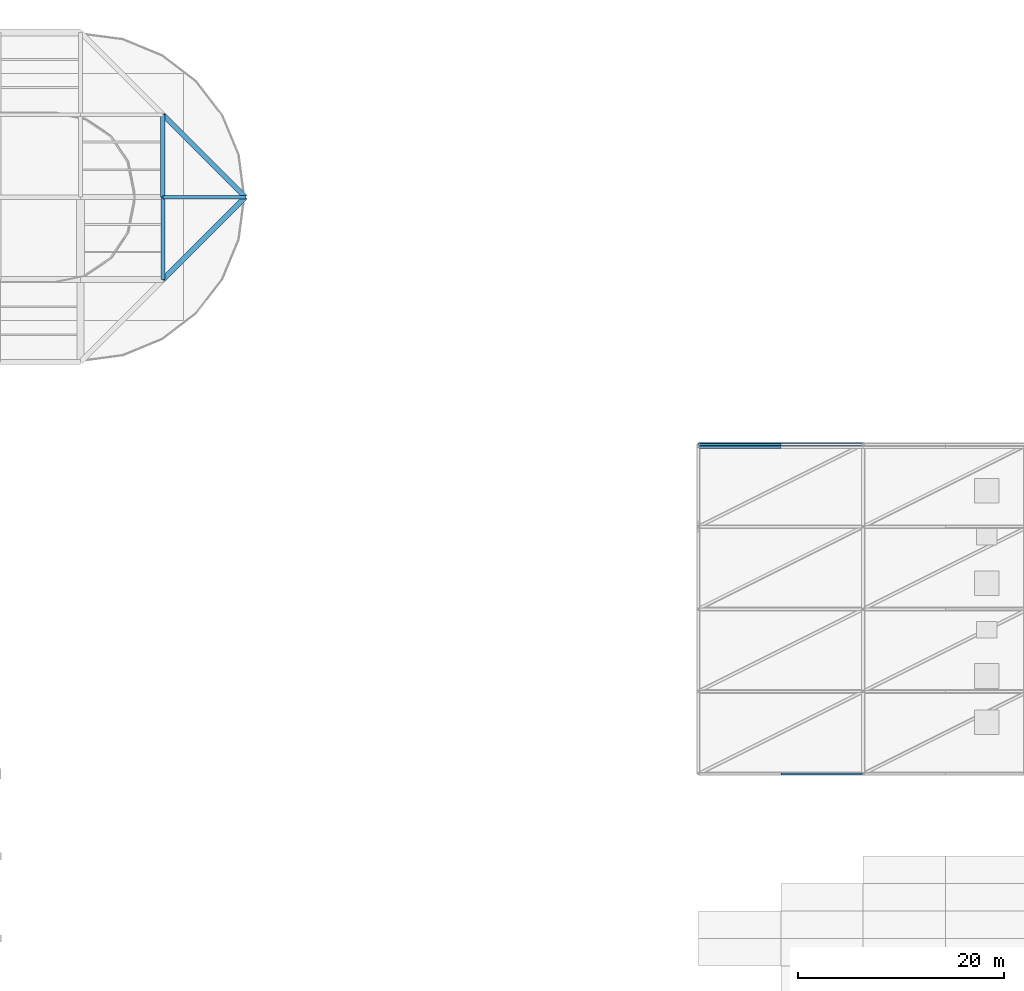
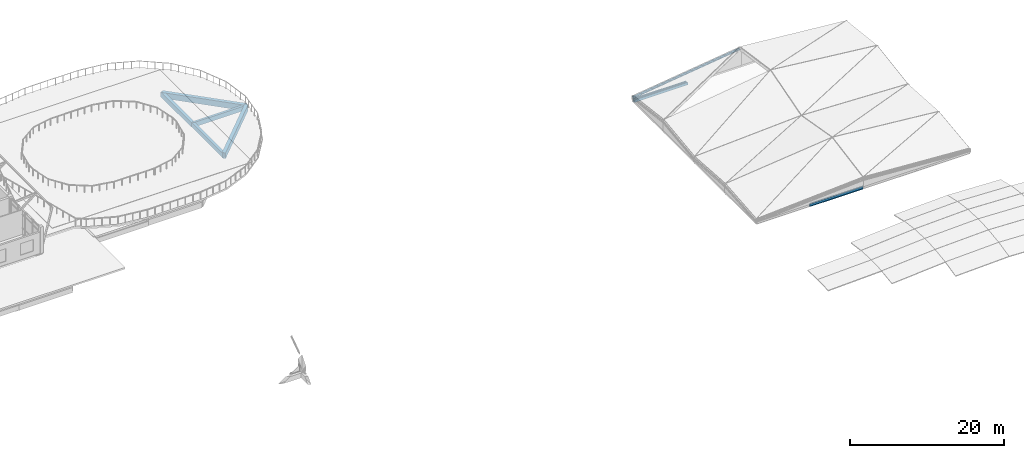
# One storey, part 19 of 44: 9 beams.
"""IFC4 building model written with IfcOpenShell, lengths in metres."""

from ifc_helpers import new_model, si_unit, direction, frame, origin, origin_2d, place, context, subcontext, project, spatial, rectangle, hollow_rectangle, hollow_circle, i_section, extrude, material, material_profile, profile_set, type_object, element, save


model = new_model("IFC4")

# Units and contexts
model_context = context("Model", 3, precision=1e-05, world=origin(), true_north=direction((0.0, 1.0)))
body_context = subcontext(model_context, "Body", "Model", "MODEL_VIEW")
ifc_project = project(units=[si_unit("LENGTHUNIT", "METRE"), si_unit("AREAUNIT", "SQUARE_METRE"), si_unit("VOLUMEUNIT", "CUBIC_METRE"), si_unit("PLANEANGLEUNIT", "RADIAN"), si_unit("MASSUNIT", "GRAM", prefix="KILO")], contexts=[model_context])

# Site, building, storey
site_placement = place(None, origin())
site = spatial("IfcSite", under=ifc_project, at=site_placement, CompositionType="ELEMENT")
building_placement = place(site_placement, origin())
building = spatial("IfcBuilding", under=site, at=building_placement, Name="Tenunan Teduh Sports Hall", CompositionType="ELEMENT")
storey_placement = place(building_placement, frame((0.0, 0.0, 19.199951171875)))
storey = spatial("IfcBuildingStorey", under=building, at=storey_placement, Name="L04", CompositionType="ELEMENT", Elevation=19.199951171875)

# Beams
ifc_material_1 = material(Name="Concrete C40/50", Category="concrete")
ifc_material_profile_1 = material_profile(ifc_material_1, rectangle(XDim=0.39990234375, YDim=0.699951171875, at=origin_2d()), Name="RCB 400x700")
ifc_profile_set_1 = profile_set([ifc_material_profile_1], Name="Concrete C40/50")
beam_type_1 = type_object("IfcBeamType", Name="BM-RC-400x700", PredefinedType="BEAM", material=ifc_profile_set_1)
beam_1_placement = place(storey_placement, frame((70.0, 94.0, -0.619873046875), z_axis=(0.0, 1.0, 0.0), x_axis=(-1.0, 0.0, 0.0)))
element("IfcBeam", 1, at=beam_1_placement, inside=storey, type_object=beam_type_1, Name="BM-B-08-L04-2108", PredefinedType="BEAM", context=body_context, shape_type="SweptSolid", body=[
    extrude(rectangle(XDim=0.39990234375, YDim=0.699951171875, at=origin_2d()), origin(), (0.0, 0.0, 1.0), 8.0),
])
ifc_material_2 = material(Name="Concrete C40/50", Category="concrete")
ifc_material_profile_2 = material_profile(ifc_material_2, rectangle(XDim=0.449951171875, YDim=0.75, at=origin_2d()), Name="RCB 450x750")
ifc_profile_set_2 = profile_set([ifc_material_profile_2], Name="Concrete C40/50")
beam_type_2 = type_object("IfcBeamType", Name="BM-RC-450x750", PredefinedType="BEAM", material=ifc_profile_set_2)
beam_2_placement = place(storey_placement, frame((70.0, 102.0, -0.64501953125), z_axis=(0.0, 1.0, 0.0), x_axis=(-1.0, 0.0, 0.0)))
element("IfcBeam", 2, at=beam_2_placement, inside=storey, type_object=beam_type_2, Name="BM-B-11-L04-2109", PredefinedType="BEAM", context=body_context, shape_type="SweptSolid", body=[
    extrude(rectangle(XDim=0.449951171875, YDim=0.75, at=origin_2d()), origin(), (0.0, 0.0, 1.0), 8.0),
])
ifc_material_3 = material(Name="Concrete C40/50", Category="concrete")
ifc_material_profile_3 = material_profile(ifc_material_3, rectangle(XDim=0.5, YDim=0.89990234375, at=origin_2d()), Name="RCB 500x900")
ifc_profile_set_3 = profile_set([ifc_material_profile_3], Name="Concrete C40/50")
beam_type_3 = type_object("IfcBeamType", Name="BM-RC-500x900", PredefinedType="BEAM", material=ifc_profile_set_3)
for number, where, z_axis, x_axis, name in (
    (3, (70.0, 94.0, -0.7099609375), (0.707106781187, 0.707106781187, 0.0), (-0.707106781187, 0.707106781187, 0.0), "BM-B-15-L04-0608"),
    (4, (78.0, 102.0, -0.7099609375), (-0.707106781187, 0.707106781187, 0.0), (-0.707106781187, -0.707106781187, 0.0), "BM-B-15-L04-0610"),
):
    element("IfcBeam", number, at=place(storey_placement, frame(where, z_axis=z_axis, x_axis=x_axis)), inside=storey, type_object=beam_type_3, Name=name, PredefinedType="BEAM", context=body_context, shape_type="SweptSolid", body=[
        extrude(rectangle(XDim=0.5, YDim=0.89990234375, at=origin_2d()), origin(), (0.0, 0.0, 1.0), 11.313720703125),
    ])
ifc_material_4 = material(Name="Concrete C40/50", Category="concrete")
ifc_material_profile_4 = material_profile(ifc_material_4, rectangle(XDim=0.35009765625, YDim=0.719970703125, at=origin_2d()), Name="TB 350x720")
ifc_profile_set_4 = profile_set([ifc_material_profile_4], Name="Concrete C40/50")
beam_type_4 = type_object("IfcBeamType", Name="BM-TB-350x720", PredefinedType="T_BEAM", material=ifc_profile_set_4)
beam_3_placement = place(storey_placement, frame((70.0, 102.0, -0.6298828125), z_axis=(1.0, 0.0, 0.0), x_axis=(0.0, 1.0, 0.0)))
element("IfcBeam", 5, at=beam_3_placement, inside=storey, type_object=beam_type_4, Name="BM-TB-01-L04-2049", PredefinedType="T_BEAM", context=body_context, shape_type="SweptSolid", body=[
    extrude(rectangle(XDim=0.35009765625, YDim=0.719970703125, at=origin_2d()), origin(), (0.0, 0.0, 1.0), 8.0),
])
ifc_material_5 = material(Name="Steel S355", Category="steel")
ifc_material_profile_5 = material_profile(ifc_material_5, hollow_circle(Radius=0.177734375, WallThickness=0.012451171875, at=origin_2d()), Name="CHS 355.6x12.5")
ifc_profile_set_5 = profile_set([ifc_material_profile_5], Name="Steel S355")
beam_type_5 = type_object("IfcBeamType", Name="GSB-CHS356", PredefinedType="BEAM", material=ifc_profile_set_5)
beam_4_placement = place(storey_placement, frame((138.0, 78.0, 2.090087890625), z_axis=(-0.991495647024, 0.0, -0.130139855281), x_axis=(0.0, -1.0, 0.0)))
element("IfcBeam", 6, at=beam_4_placement, inside=storey, type_object=beam_type_5, Name="Gridshell Vault Arch BM-GR-04-L04-0489", PredefinedType="BEAM", context=body_context, shape_type="SweptSolid", body=[
    extrude(hollow_circle(Radius=0.177734375, WallThickness=0.012451171875, at=origin_2d()), origin(), (0.0, 0.0, 1.0), 16.13720703125),
])
ifc_material_6 = material(Name="Steel S355", Category="steel")
ifc_material_profile_6 = material_profile(ifc_material_6, hollow_rectangle(XDim=0.199951171875, YDim=0.39990234375, WallThickness=0.012451171875, at=origin_2d()), Name="RHS 400x200x12.5")
ifc_profile_set_6 = profile_set([ifc_material_profile_6], Name="Steel S355")
beam_type_6 = type_object("IfcBeamType", Name="RBM-RHS400", PredefinedType="SPANDREL", material=ifc_profile_set_6)
beam_5_placement = place(storey_placement, frame((122.0, 77.697265625, -0.389892578125), z_axis=(1.0, 0.0, 0.0), x_axis=(0.0, 1.0, 0.0)))
element("IfcBeam", 7, at=beam_5_placement, inside=storey, type_object=beam_type_6, Name="Perimeter Ring Beam BM-RB-02-L04-2538", PredefinedType="SPANDREL", context=body_context, shape_type="SweptSolid", body=[
    extrude(hollow_rectangle(XDim=0.199951171875, YDim=0.39990234375, WallThickness=0.012451171875, at=origin_2d()), origin(), (0.0, 0.0, 1.0), 8.0),
])
ifc_material_7 = material(Name="Steel S355", Category="steel")
ifc_material_profile_7 = material_profile(ifc_material_7, i_section(OverallWidth=0.1904296875, OverallDepth=0.45703125, WebThickness=0.009033203125, FlangeThickness=0.014404296875, FilletRadius=0.01025390625, at=origin_2d()), Name="UKB 457x191x74")
ifc_profile_set_7 = profile_set([ifc_material_profile_7], Name="Steel S355")
beam_type_7 = type_object("IfcBeamType", Name="SBM-UKB457", PredefinedType="BEAM", material=ifc_profile_set_7)
for number, where, z_axis, x_axis, name in (
    (8, (130.0, 46.0, -0.43994140625), (1.0, 0.0, 0.0), (0.0, 1.0, 0.0), "BM-SB-04-L04-0450"),
    (9, (122.0, 78.0, -0.43994140625), (1.0, 0.0, 0.0), (0.0, 1.0, 0.0), "BM-SB-04-L04-0453"),
):
    element("IfcBeam", number, at=place(storey_placement, frame(where, z_axis=z_axis, x_axis=x_axis)), inside=storey, type_object=beam_type_7, Name=name, PredefinedType="BEAM", context=body_context, shape_type="SweptSolid", body=[
        extrude(i_section(OverallWidth=0.1904296875, OverallDepth=0.45703125, WebThickness=0.009033203125, FlangeThickness=0.014404296875, FilletRadius=0.01025390625, at=origin_2d()), origin(), (0.0, 0.0, 1.0), 8.0),
    ])

save(model, "model.ifc")
